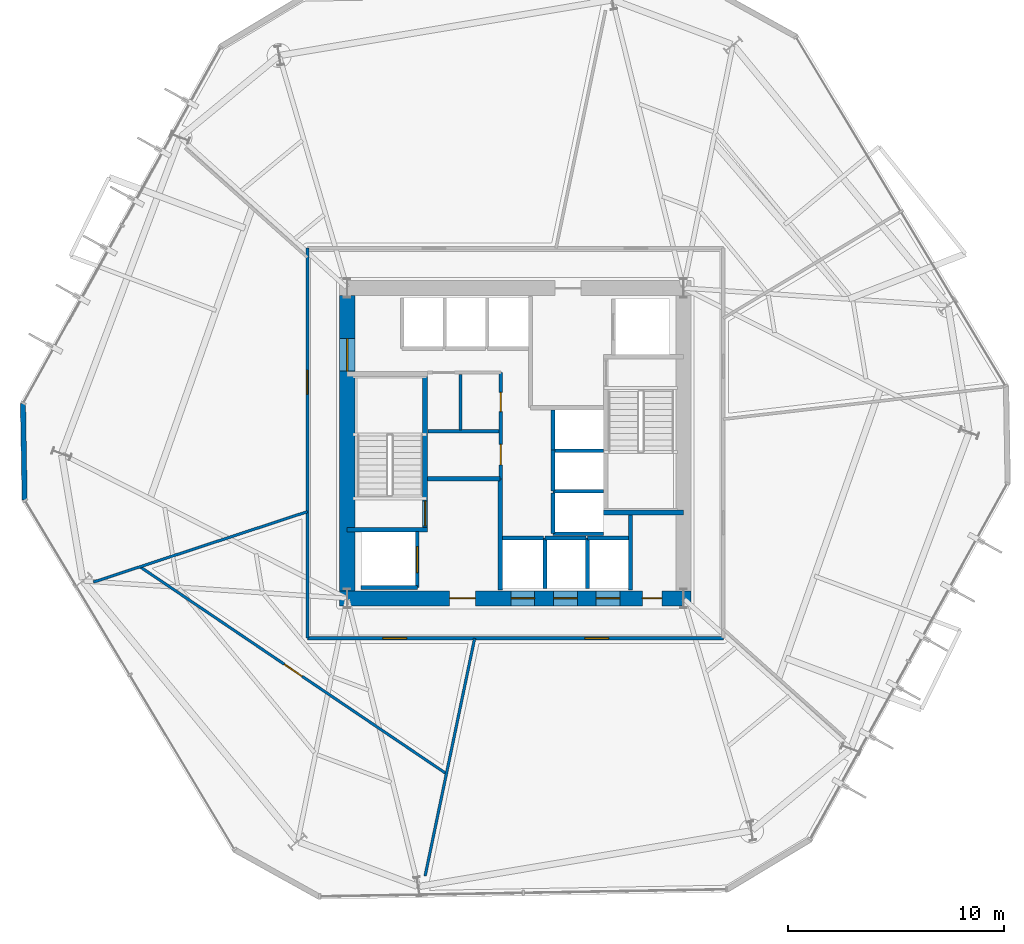
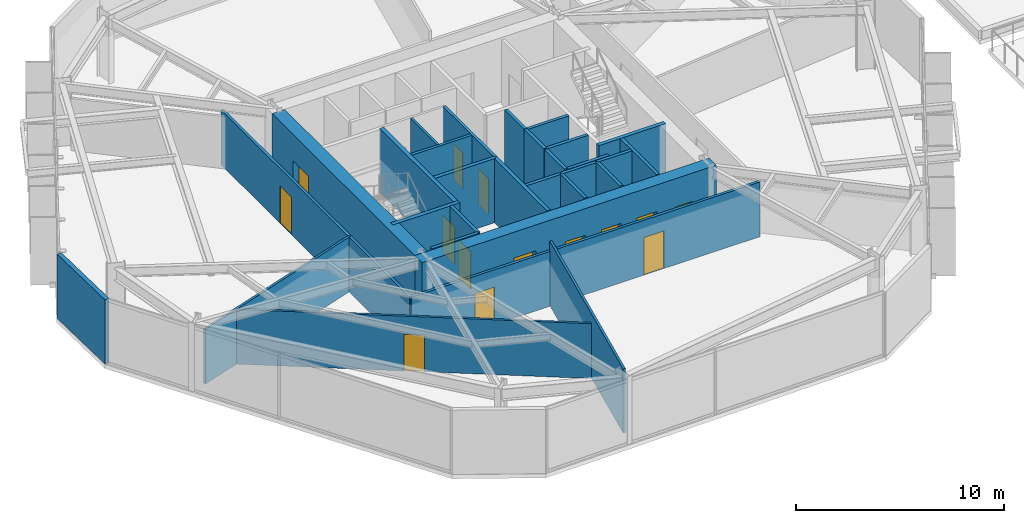
# One storey, part 6 of 11: 30 walls, 14 doors, 14 openings.
"""IFC4 building model written with IfcOpenShell, lengths in metres."""

from ifc_helpers import new_model, si_unit, direction, frame, frame_2d, origin, place, context, subcontext, project, spatial, rectangle, extrude, material, layer, layer_set, type_object, element, fill, save


model = new_model("IFC4")

# Units and contexts
model_context = context("Model", 3, precision=1e-05, world=origin(), true_north=direction((0.0, 1.0)))
body_context = subcontext(model_context, "Body", "Model", "MODEL_VIEW")
ifc_project = project(units=[si_unit("LENGTHUNIT", "METRE"), si_unit("AREAUNIT", "SQUARE_METRE"), si_unit("VOLUMEUNIT", "CUBIC_METRE"), si_unit("PLANEANGLEUNIT", "RADIAN"), si_unit("MASSUNIT", "GRAM", prefix="KILO")], contexts=[model_context])

# Site, building, storey
site_placement = place(None, origin())
site = spatial("IfcSite", under=ifc_project, at=site_placement, CompositionType="ELEMENT")
building_placement = place(site_placement, origin())
building = spatial("IfcBuilding", under=site, at=building_placement, Name="Kranzbogen Civic Tower", CompositionType="ELEMENT")
storey_placement = place(building_placement, frame((0.0, 0.0, 24.0)))
storey = spatial("IfcBuildingStorey", under=building, at=storey_placement, Name="L05", CompositionType="ELEMENT", Elevation=24.0)

# Wall, openings, doors
ifc_material_1 = material(Name="Double-Stud Acoustic Gypsum Partition")
ifc_layer_1 = layer(ifc_material_1, 0.14990234375, Name="Double-Stud Acoustic Gypsum Partition")
ifc_layer_set_1 = layer_set([ifc_layer_1], Name="Double-Stud Acoustic Gypsum Partition")
wall_type_1 = type_object("IfcWallType", Name="Acoustic Corridor and Clinical Partition 150 mm", PredefinedType="PARTITIONING", material=ifc_layer_set_1)
wall_1_placement = place(storey_placement, frame((34.64990234375, 15.949951171875, 0.0), z_axis=(0.0, 0.0, 1.0), x_axis=(-1.0, 0.0, 0.0)))
wall_1 = element("IfcWall", 1, at=wall_1_placement, inside=storey, type_object=wall_type_1, Name="L05 corridor partition 03", PredefinedType="PARTITIONING", context=body_context, shape_type="SweptSolid", body=[
    extrude(rectangle(XDim=19.2998046875, YDim=0.14990234375, at=frame_2d((9.64990234375, 0.0))), origin(), (0.0, 0.0, 1.0), 3.2099609375),
])
opening_1_placement = place(wall_1_placement, frame((14.693115234375, 0.0, 0.0)))
opening_1 = element("IfcOpeningElement", 2, at=opening_1_placement, cuts=wall_1, Name="Opening D-COR60", PredefinedType="OPENING", context=body_context, shape_type="SweptSolid", body=[
    extrude(rectangle(XDim=1.10009765625, YDim=2.199951171875, at=frame_2d((0.550048828125, 1.10009765625))), frame((0.0, 0.0849609375, 0.0), z_axis=(0.0, -1.0, 0.0), x_axis=(1.0, 0.0, 0.0)), (0.0, 0.0, 1.0), 0.169921875),
])
opening_2_placement = place(wall_1_placement, frame((5.319091796875, 0.0, 0.0)))
opening_2 = element("IfcOpeningElement", 3, at=opening_2_placement, cuts=wall_1, Name="Opening D-COR60", PredefinedType="OPENING", context=body_context, shape_type="SweptSolid", body=[
    extrude(rectangle(XDim=1.10009765625, YDim=2.199951171875, at=frame_2d((0.550048828125, 1.10009765625))), frame((0.0, 0.0849609375, 0.0), z_axis=(0.0, -1.0, 0.0), x_axis=(1.0, 0.0, 0.0)), (0.0, 0.0, 1.0), 0.169921875),
])
ifc_material_2 = material(Name="Oak Timber and Fire Core", Category="wood")
door_type_1 = type_object("IfcDoorType", Name="Corridor Acoustic Fire Door 1100x2200", OperationType="NOTDEFINED", PredefinedType="DOOR", material=ifc_material_2)
door_1_placement = place(opening_1_placement, origin())
door_1 = element("IfcDoor", 4, at=door_1_placement, inside=storey, type_object=door_type_1, Name="L05 Ministerial Policy Office door", OperationType="SINGLE_SWING_RIGHT", OverallHeight=2.199951171875, OverallWidth=1.10009765625, PredefinedType="DOOR", context=body_context, shape_type="SweptSolid", body=[
    extrude(rectangle(XDim=1.10009765625, YDim=2.199951171875, at=frame_2d((0.550048828125, 1.10009765625))), frame((0.0, 0.02490234375, 0.0), z_axis=(0.0, -1.0, 0.0), x_axis=(1.0, 0.0, 0.0)), (0.0, 0.0, 1.0), 0.050048828125),
])
fill(opening_1, door_1)
door_2_placement = place(opening_2_placement, origin())
door_2 = element("IfcDoor", 5, at=door_2_placement, inside=storey, type_object=door_type_1, Name="L05 Legal Counsel Office door", OperationType="SINGLE_SWING_RIGHT", OverallHeight=2.199951171875, OverallWidth=1.10009765625, PredefinedType="DOOR", context=body_context, shape_type="SweptSolid", body=[
    extrude(rectangle(XDim=1.10009765625, YDim=2.199951171875, at=frame_2d((0.550048828125, 1.10009765625))), frame((0.0, 0.02490234375, 0.0), z_axis=(0.0, -1.0, 0.0), x_axis=(1.0, 0.0, 0.0)), (0.0, 0.0, 1.0), 0.050048828125),
])
fill(opening_2, door_2)

# Wall, opening, door
wall_2_placement = place(storey_placement, frame((15.35009765625, 15.949951171875, 0.0), z_axis=(0.0, 0.0, 1.0), x_axis=(0.0, 1.0, 0.0)))
wall_2 = element("IfcWall", 6, at=wall_2_placement, inside=storey, type_object=wall_type_1, Name="L05 corridor partition 04", PredefinedType="PARTITIONING", context=body_context, shape_type="SweptSolid", body=[
    extrude(rectangle(XDim=18.10009765625, YDim=0.14990234375, at=frame_2d((9.050048828125, 0.0))), origin(), (0.0, 0.0, 1.0), 3.2099609375),
])
opening_3_placement = place(wall_2_placement, frame((11.33203125, 0.0, 0.0)))
opening_3 = element("IfcOpeningElement", 7, at=opening_3_placement, cuts=wall_2, Name="Opening D-COR60", PredefinedType="OPENING", context=body_context, shape_type="SweptSolid", body=[
    extrude(rectangle(XDim=1.10009765625, YDim=2.199951171875, at=frame_2d((0.550048828125, 1.10009765625))), frame((0.0, 0.0849609375, 0.0), z_axis=(0.0, -1.0, 0.0), x_axis=(1.0, 0.0, 0.0)), (0.0, 0.0, 1.0), 0.169921875),
])
door_3_placement = place(opening_3_placement, origin())
door_3 = element("IfcDoor", 8, at=door_3_placement, inside=storey, type_object=door_type_1, Name="L05 Staff Tea Pantry door", OperationType="SINGLE_SWING_LEFT", OverallHeight=2.199951171875, OverallWidth=1.10009765625, PredefinedType="DOOR", context=body_context, shape_type="SweptSolid", body=[
    extrude(rectangle(XDim=1.10009765625, YDim=2.199951171875, at=frame_2d((0.550048828125, 1.10009765625))), frame((0.0, 0.02490234375, 0.0), z_axis=(0.0, -1.0, 0.0), x_axis=(1.0, 0.0, 0.0)), (0.0, 0.0, 1.0), 0.050048828125),
])
fill(opening_3, door_3)

# Walls
ifc_material_3 = material(Name="Insulated Metal-Stud Gypsum Partition")
ifc_layer_2 = layer(ifc_material_3, 0.125, Name="Insulated Metal-Stud Gypsum Partition")
ifc_layer_set_2 = layer_set([ifc_layer_2], Name="Insulated Metal-Stud Gypsum Partition")
wall_type_2 = type_object("IfcWallType", Name="Acoustic Inter-Room Partition 125 mm", PredefinedType="PARTITIONING", material=ifc_layer_set_2)
wall_3_placement = place(storey_placement, frame((22.4599609375, 25.6201171875, 0.0), z_axis=(0.0, 0.0, 1.0), x_axis=(0.0, 1.0, 0.0)))
element("IfcWall", 9, at=wall_3_placement, inside=storey, type_object=wall_type_2, Name="L05 core auxiliary partition 2", PredefinedType="PARTITIONING", context=body_context, shape_type="SweptSolid", body=[
    extrude(rectangle(XDim=2.579833984375, YDim=0.125, at=frame_2d((1.2900390625, 0.0))), origin(), (0.0, 0.0, 1.0), 3.760009765625),
])
wall_4_placement = place(storey_placement, frame((15.35009765625, 21.823974609375, 0.0), z_axis=(0.0, 0.0, 1.0), x_axis=(-0.949851770283, -0.312700518851, 0.0)))
element("IfcWall", 10, at=wall_4_placement, inside=storey, type_object=wall_type_2, Name="L05 radial room partition 04", PredefinedType="PARTITIONING", context=body_context, shape_type="SweptSolid", body=[
    extrude(rectangle(XDim=10.451171875, YDim=0.125, at=frame_2d((5.2255859375, 0.0))), origin(), (0.0, 0.0, 1.0), 3.2099609375),
])
wall_5_placement = place(storey_placement, frame((23.113037109375, 15.949951171875, 0.0), z_axis=(0.0, 0.0, 1.0), x_axis=(-0.204117775604, -0.97894633851, 0.0)))
element("IfcWall", 11, at=wall_5_placement, inside=storey, type_object=wall_type_2, Name="L05 radial room partition 05", PredefinedType="PARTITIONING", context=body_context, shape_type="SweptSolid", body=[
    extrude(rectangle(XDim=11.268310546875, YDim=0.125, at=frame_2d((5.63427734375, 0.0))), origin(), (0.0, 0.0, 1.0), 3.760009765625),
])

# Wall, opening, door
wall_6_placement = place(storey_placement, frame((7.59912109375, 19.256103515625, 0.0), z_axis=(0.0, 0.0, 1.0), x_axis=(0.828641341799, -0.559779891262, 0.0)))
wall_6 = element("IfcWall", 12, at=wall_6_placement, inside=storey, type_object=wall_type_2, Name="L05 suite chord partition 01", PredefinedType="PARTITIONING", context=body_context, shape_type="SweptSolid", body=[
    extrude(rectangle(XDim=17.123046875, YDim=0.125, at=frame_2d((8.5615234375, 0.0))), origin(), (0.0, 0.0, 1.0), 3.2099609375),
])
opening_4_placement = place(wall_6_placement, frame((8.06201171875, 0.0, 0.0)))
opening_4 = element("IfcOpeningElement", 13, at=opening_4_placement, cuts=wall_6, Name="Opening D-OFC10", PredefinedType="OPENING", context=body_context, shape_type="SweptSolid", body=[
    extrude(rectangle(XDim=1.0, YDim=2.14990234375, at=frame_2d((0.5, 1.074951171875))), frame((0.0, 0.072509765625, 0.0), z_axis=(0.0, -1.0, 0.0), x_axis=(1.0, 0.0, 0.0)), (0.0, 0.0, 1.0), 0.14501953125),
])
ifc_material_4 = material(Name="Oak Timber Veneer", Category="wood")
door_type_2 = type_object("IfcDoorType", Name="Standard Office Acoustic Door 1000x2150", OperationType="NOTDEFINED", PredefinedType="DOOR", material=ifc_material_4)
door_4_placement = place(opening_4_placement, origin())
door_4 = element("IfcDoor", 14, at=door_4_placement, inside=storey, type_object=door_type_2, Name="L05 Directorate Admin Workspace door", OperationType="SINGLE_SWING_LEFT", OverallHeight=2.14990234375, OverallWidth=1.0, PredefinedType="DOOR", context=body_context, shape_type="SweptSolid", body=[
    extrude(rectangle(XDim=1.0, YDim=2.14990234375, at=frame_2d((0.5, 1.074951171875))), frame((0.0, 0.02490234375, 0.0), z_axis=(0.0, -1.0, 0.0), x_axis=(1.0, 0.0, 0.0)), (0.0, 0.0, 1.0), 0.050048828125),
])
fill(opening_4, door_4)

# Wall, openings, doors
ifc_material_5 = material(Name="Concrete C55/67", Category="concrete")
ifc_layer_3 = layer(ifc_material_5, 0.699951171875, Name="Concrete C55/67")
ifc_layer_set_3 = layer_set([ifc_layer_3], Name="Concrete C55/67")
wall_type_3 = type_object("IfcWallType", Name="Central Core Shear Wall 700 mm", PredefinedType="SHEAR", material=ifc_layer_set_3)
wall_7_placement = place(storey_placement, frame((16.85009765625, 17.800048828125, 0.0), z_axis=(0.0, 0.0, 1.0), x_axis=(1.0, 0.0, 0.0)))
wall_7 = element("IfcWall", 15, at=wall_7_placement, inside=storey, type_object=wall_type_3, Name="L05 central core South shear wall", PredefinedType="SHEAR", context=body_context, shape_type="SweptSolid", body=[
    extrude(rectangle(XDim=16.2998046875, YDim=0.699951171875, at=frame_2d((8.14990234375, 0.0))), origin(), (0.0, 0.0, 1.0), 3.760009765625),
])
opening_5_placement = place(wall_7_placement, frame((5.10009765625, 0.0, 0.0)))
opening_5 = element("IfcOpeningElement", 16, at=opening_5_placement, cuts=wall_7, Name="Opening D-EX120", PredefinedType="OPENING", context=body_context, shape_type="SweptSolid", body=[
    extrude(rectangle(XDim=1.199951171875, YDim=2.25, at=frame_2d((0.60009765625, 1.125))), frame((0.0, 0.35986328125, 0.0), z_axis=(0.0, -1.0, 0.0), x_axis=(1.0, 0.0, 0.0)), (0.0, 0.0, 1.0), 0.719970703125),
])
opening_6_placement = place(wall_7_placement, frame((14.050048828125, 0.0, 0.0)))
opening_6 = element("IfcOpeningElement", 17, at=opening_6_placement, cuts=wall_7, Name="Opening D-WC90", PredefinedType="OPENING", context=body_context, shape_type="SweptSolid", body=[
    extrude(rectangle(XDim=0.89990234375, YDim=2.10009765625, at=frame_2d((0.449951171875, 1.050048828125))), frame((0.0, 0.35986328125, 0.0), z_axis=(0.0, -1.0, 0.0), x_axis=(1.0, 0.0, 0.0)), (0.0, 0.0, 1.0), 0.719970703125),
])
opening_7_placement = place(wall_7_placement, frame((7.949951171875, 0.0, 0.0)))
opening_7 = element("IfcOpeningElement", 18, at=opening_7_placement, cuts=wall_7, Name="Opening LD-LP-01", PredefinedType="OPENING", context=body_context, shape_type="SweptSolid", body=[
    extrude(rectangle(XDim=1.10009765625, YDim=2.199951171875, at=frame_2d((0.550048828125, 1.10009765625))), frame((0.0, 0.35986328125, 0.0), z_axis=(0.0, -1.0, 0.0), x_axis=(1.0, 0.0, 0.0)), (0.0, 0.0, 1.0), 0.719970703125),
])
opening_8_placement = place(wall_7_placement, frame((9.925048828125, 0.0, 0.0)))
opening_8 = element("IfcOpeningElement", 19, at=opening_8_placement, cuts=wall_7, Name="Opening LD-LP-02", PredefinedType="OPENING", context=body_context, shape_type="SweptSolid", body=[
    extrude(rectangle(XDim=1.10009765625, YDim=2.199951171875, at=frame_2d((0.550048828125, 1.10009765625))), frame((0.0, 0.35986328125, 0.0), z_axis=(0.0, -1.0, 0.0), x_axis=(1.0, 0.0, 0.0)), (0.0, 0.0, 1.0), 0.719970703125),
])
opening_9_placement = place(wall_7_placement, frame((11.89990234375, 0.0, 0.0)))
opening_9 = element("IfcOpeningElement", 20, at=opening_9_placement, cuts=wall_7, Name="Opening LD-LP-03", PredefinedType="OPENING", context=body_context, shape_type="SweptSolid", body=[
    extrude(rectangle(XDim=1.10009765625, YDim=2.199951171875, at=frame_2d((0.550048828125, 1.10009765625))), frame((0.0, 0.35986328125, 0.0), z_axis=(0.0, -1.0, 0.0), x_axis=(1.0, 0.0, 0.0)), (0.0, 0.0, 1.0), 0.719970703125),
])
ifc_material_6 = material(Name="Steel S355", Category="steel")
door_type_3 = type_object("IfcDoorType", Name="Exit Passageway Fire Door 1200x2250", OperationType="NOTDEFINED", PredefinedType="DOOR", material=ifc_material_6)
door_5_placement = place(opening_5_placement, origin())
door_5 = element("IfcDoor", 21, at=door_5_placement, inside=storey, type_object=door_type_3, Name="L05 West firefighting lobby corridor door", OperationType="SINGLE_SWING_RIGHT", OverallHeight=2.25, OverallWidth=1.199951171875, PredefinedType="DOOR", context=body_context, shape_type="SweptSolid", body=[
    extrude(rectangle(XDim=1.199951171875, YDim=2.25, at=frame_2d((0.60009765625, 1.125))), frame((0.0, 0.02490234375, 0.0), z_axis=(0.0, -1.0, 0.0), x_axis=(1.0, 0.0, 0.0)), (0.0, 0.0, 1.0), 0.050048828125),
])
fill(opening_5, door_5)
ifc_material_7 = material(Name="Pale Anodised Aluminium", Category="aluminium")
door_type_4 = type_object("IfcDoorType", Name="Passenger Lift Sliding Landing Door 1100x2200", OperationType="DOUBLE_DOOR_SLIDING", PredefinedType="DOOR", material=ifc_material_7)
door_6_placement = place(opening_7_placement, origin())
door_6 = element("IfcDoor", 22, at=door_6_placement, inside=storey, type_object=door_type_4, Name="L05 lift LP-01 sliding landing door", OperationType="DOUBLE_DOOR_SLIDING", OverallHeight=2.199951171875, OverallWidth=1.10009765625, PredefinedType="DOOR", context=body_context, shape_type="SweptSolid", body=[
    extrude(rectangle(XDim=1.10009765625, YDim=2.199951171875, at=frame_2d((0.550048828125, 1.10009765625))), frame((0.0, 0.02490234375, 0.0), z_axis=(0.0, -1.0, 0.0), x_axis=(1.0, 0.0, 0.0)), (0.0, 0.0, 1.0), 0.050048828125),
])
fill(opening_7, door_6)
door_7_placement = place(opening_8_placement, origin())
door_7 = element("IfcDoor", 23, at=door_7_placement, inside=storey, type_object=door_type_4, Name="L05 lift LP-02 sliding landing door", OperationType="DOUBLE_DOOR_SLIDING", OverallHeight=2.199951171875, OverallWidth=1.10009765625, PredefinedType="DOOR", context=body_context, shape_type="SweptSolid", body=[
    extrude(rectangle(XDim=1.10009765625, YDim=2.199951171875, at=frame_2d((0.550048828125, 1.10009765625))), frame((0.0, 0.02490234375, 0.0), z_axis=(0.0, -1.0, 0.0), x_axis=(1.0, 0.0, 0.0)), (0.0, 0.0, 1.0), 0.050048828125),
])
fill(opening_8, door_7)
door_8_placement = place(opening_9_placement, origin())
door_8 = element("IfcDoor", 24, at=door_8_placement, inside=storey, type_object=door_type_4, Name="L05 lift LP-03 sliding landing door", OperationType="DOUBLE_DOOR_SLIDING", OverallHeight=2.199951171875, OverallWidth=1.10009765625, PredefinedType="DOOR", context=body_context, shape_type="SweptSolid", body=[
    extrude(rectangle(XDim=1.10009765625, YDim=2.199951171875, at=frame_2d((0.550048828125, 1.10009765625))), frame((0.0, 0.02490234375, 0.0), z_axis=(0.0, -1.0, 0.0), x_axis=(1.0, 0.0, 0.0)), (0.0, 0.0, 1.0), 0.050048828125),
])
fill(opening_9, door_8)
ifc_material_8 = material(Name="Moisture-Resistant Laminate")
door_type_5 = type_object("IfcDoorType", Name="Standard Restroom and Store Door 900x2100", OperationType="NOTDEFINED", PredefinedType="DOOR", material=ifc_material_8)
door_9_placement = place(opening_6_placement, origin())
door_9 = element("IfcDoor", 25, at=door_9_placement, inside=storey, type_object=door_type_5, Name="L05 East electrical riser access door", OperationType="SINGLE_SWING_LEFT", OverallHeight=2.10009765625, OverallWidth=0.89990234375, PredefinedType="DOOR", context=body_context, shape_type="SweptSolid", body=[
    extrude(rectangle(XDim=0.89990234375, YDim=2.10009765625, at=frame_2d((0.449951171875, 1.050048828125))), frame((0.0, 0.02490234375, 0.0), z_axis=(0.0, -1.0, 0.0), x_axis=(1.0, 0.0, 0.0)), (0.0, 0.0, 1.0), 0.050048828125),
])
fill(opening_6, door_9)

# Wall, opening, door
wall_8_placement = place(storey_placement, frame((17.199951171875, 31.85009765625, 0.0), z_axis=(0.0, 0.0, 1.0), x_axis=(0.0, -1.0, 0.0)))
wall_8 = element("IfcWall", 26, at=wall_8_placement, inside=storey, type_object=wall_type_3, Name="L05 central core West shear wall", PredefinedType="SHEAR", context=body_context, shape_type="SweptSolid", body=[
    extrude(rectangle(XDim=13.7001953125, YDim=0.699951171875, at=frame_2d((6.85009765625, 0.0))), origin(), (0.0, 0.0, 1.0), 3.760009765625),
])
opening_10_placement = place(wall_8_placement, frame((2.0, 0.0, 0.0)))
opening_10 = element("IfcOpeningElement", 27, at=opening_10_placement, cuts=wall_8, Name="Opening D-DBL15", PredefinedType="OPENING", context=body_context, shape_type="SweptSolid", body=[
    extrude(rectangle(XDim=1.5, YDim=2.199951171875, at=frame_2d((0.75, 1.10009765625))), frame((0.0, 0.35986328125, 0.0), z_axis=(0.0, -1.0, 0.0), x_axis=(1.0, 0.0, 0.0)), (0.0, 0.0, 1.0), 0.719970703125),
])
ifc_material_9 = material(Name="Anodised Bronze and Glass", Category="glass")
door_type_6 = type_object("IfcDoorType", Name="Civic Lobby Double Door 1500x2200", OperationType="DOUBLE_DOOR_SINGLE_SWING", PredefinedType="DOOR", material=ifc_material_9)
door_10_placement = place(opening_10_placement, origin())
door_10 = element("IfcDoor", 28, at=door_10_placement, inside=storey, type_object=door_type_6, Name="L05 Central Lift Lobby West concourse door", OperationType="DOUBLE_DOOR_SINGLE_SWING", OverallHeight=2.199951171875, OverallWidth=1.5, PredefinedType="DOOR", context=body_context, shape_type="SweptSolid", body=[
    extrude(rectangle(XDim=1.5, YDim=2.199951171875, at=frame_2d((0.75, 1.10009765625))), frame((0.0, 0.02490234375, 0.0), z_axis=(0.0, -1.0, 0.0), x_axis=(1.0, 0.0, 0.0)), (0.0, 0.0, 1.0), 0.050048828125),
])
fill(opening_10, door_10)

ifc_material_10 = material(Name="Concrete C45/55", Category="concrete")
ifc_layer_4 = layer(ifc_material_10, 0.219970703125, Name="Concrete C45/55")
ifc_layer_set_4 = layer_set([ifc_layer_4], Name="Concrete C45/55")
wall_type_4 = type_object("IfcWallType", Name="Core Internal Stair Structural Wall 220 mm", PredefinedType="SOLIDWALL", material=ifc_layer_set_4)
wall_9_placement = place(storey_placement, frame((20.81005859375, 20.989990234375, 0.0), z_axis=(0.0, 0.0, 1.0), x_axis=(0.0, 1.0, 0.0)))
wall_9 = element("IfcWall", 29, at=wall_9_placement, inside=storey, type_object=wall_type_4, Name="L05 ST-T1 East structural stair wall", PredefinedType="SOLIDWALL", context=body_context, shape_type="SweptSolid", body=[
    extrude(rectangle(XDim=7.219970703125, YDim=0.219970703125, at=frame_2d((3.60986328125, 0.0))), origin(), (0.0, 0.0, 1.0), 3.760009765625),
])
opening_11_placement = place(wall_9_placement, frame((0.179931640625, 0.0, 0.0)))
opening_11 = element("IfcOpeningElement", 30, at=opening_11_placement, cuts=wall_9, Name="Opening D-ST90", PredefinedType="OPENING", context=body_context, shape_type="SweptSolid", body=[
    extrude(rectangle(XDim=1.14990234375, YDim=2.199951171875, at=frame_2d((0.574951171875, 1.10009765625))), frame((0.0, 0.1201171875, 0.0), z_axis=(0.0, -1.0, 0.0), x_axis=(1.0, 0.0, 0.0)), (0.0, 0.0, 1.0), 0.239990234375),
])
door_type_7 = type_object("IfcDoorType", Name="Pressurized Stair and Lobby Fire Door 1150x2200", OperationType="NOTDEFINED", PredefinedType="DOOR", material=ifc_material_6)
door_11_placement = place(opening_11_placement, origin())
door_11 = element("IfcDoor", 31, at=door_11_placement, inside=storey, type_object=door_type_7, Name="L05 Stair ST-T1 fire door", OperationType="SINGLE_SWING_RIGHT", OverallHeight=2.199951171875, OverallWidth=1.14990234375, PredefinedType="DOOR", context=body_context, shape_type="SweptSolid", body=[
    extrude(rectangle(XDim=1.14990234375, YDim=2.199951171875, at=frame_2d((0.574951171875, 1.10009765625))), frame((0.0, 0.02490234375, 0.0), z_axis=(0.0, -1.0, 0.0), x_axis=(1.0, 0.0, 0.0)), (0.0, 0.0, 1.0), 0.050048828125),
])
fill(opening_11, door_11)

# Walls
for number, where, z_axis, x_axis, name in (
    (32, (17.199951171875, 20.989990234375, 0.0), (0.0, 0.0, 1.0), (1.0, 0.0, 0.0), "L05 ST-T1 South structural stair wall"),
    (33, (29.080078125, 21.7900390625, 0.0), (0.0, 0.0, 1.0), (1.0, 0.0, 0.0), "L05 ST-T2 South structural stair wall"),
):
    element("IfcWall", number, at=place(storey_placement, frame(where, z_axis=z_axis, x_axis=x_axis)), inside=storey, type_object=wall_type_4, Name=name, PredefinedType="SOLIDWALL", context=body_context, shape_type="SweptSolid", body=[
        extrude(rectangle(XDim=3.719970703125, YDim=0.219970703125, at=frame_2d((1.85986328125, 0.0))), origin(), (0.0, 0.0, 1.0), 3.760009765625),
    ])
ifc_material_11 = material(Name="Gypsum Fireboard and Concrete Block", Category="concrete")
ifc_layer_5 = layer(ifc_material_11, 0.199951171875, Name="Gypsum Fireboard and Concrete Block")
ifc_layer_set_5 = layer_set([ifc_layer_5], Name="Gypsum Fireboard and Concrete Block")
wall_type_5 = type_object("IfcWallType", Name="Fire-Rated Exit Passageway and Stair Wall 200 mm", PredefinedType="PARTITIONING", material=ifc_layer_set_5)
wall_10_placement = place(storey_placement, frame((24.300048828125, 18.199951171875, 0.0), z_axis=(0.0, 0.0, 1.0), x_axis=(0.0, 1.0, 0.0)))
element("IfcWall", 34, at=wall_10_placement, inside=storey, type_object=wall_type_5, Name="L05 West firefighting lobby East wall", PredefinedType="PARTITIONING", context=body_context, shape_type="SweptSolid", body=[
    extrude(rectangle(XDim=5.150146484375, YDim=0.199951171875, at=frame_2d((2.5751953125, 0.0))), origin(), (0.0, 0.0, 1.0), 3.760009765625),
])
wall_11_placement = place(storey_placement, frame((20.919921875, 23.35009765625, 0.0), z_axis=(0.0, 0.0, 1.0), x_axis=(1.0, 0.0, 0.0)))
element("IfcWall", 35, at=wall_11_placement, inside=storey, type_object=wall_type_5, Name="L05 West firefighting lobby North wall", PredefinedType="PARTITIONING", context=body_context, shape_type="SweptSolid", body=[
    extrude(rectangle(XDim=3.380126953125, YDim=0.199951171875, at=frame_2d((1.68994140625, 0.0))), origin(), (0.0, 0.0, 1.0), 3.760009765625),
])
ifc_material_12 = material(Name="Gypsum Fireboard Shaftliner")
ifc_layer_6 = layer(ifc_material_12, 0.175048828125, Name="Gypsum Fireboard Shaftliner")
ifc_layer_set_6 = layer_set([ifc_layer_6], Name="Gypsum Fireboard Shaftliner")
wall_type_6 = type_object("IfcWallType", Name="Fire-Rated Lift and Service Shaft Wall 175 mm", PredefinedType="PARTITIONING", material=ifc_layer_set_6)
wall_12_placement = place(storey_placement, frame((30.35009765625, 18.199951171875, 0.0), z_axis=(0.0, 0.0, 1.0), x_axis=(0.0, 1.0, 0.0)))
element("IfcWall", 36, at=wall_12_placement, inside=storey, type_object=wall_type_6, Name="L05 East core riser West wall", PredefinedType="PARTITIONING", context=body_context, shape_type="SweptSolid", body=[
    extrude(rectangle(XDim=3.47998046875, YDim=0.175048828125, at=frame_2d((1.739990234375, 0.0))), origin(), (0.0, 0.0, 1.0), 3.760009765625),
])
wall_13_placement = place(storey_placement, frame((24.39990234375, 20.60009765625, 0.0), z_axis=(0.0, 0.0, 1.0), x_axis=(1.0, 0.0, 0.0)))
element("IfcWall", 37, at=wall_13_placement, inside=storey, type_object=wall_type_6, Name="L05 lift LP-01 rear wall", PredefinedType="PARTITIONING", context=body_context, shape_type="SweptSolid", body=[
    extrude(rectangle(XDim=1.900146484375, YDim=0.175048828125, at=frame_2d((0.9501953125, 0.0))), origin(), (0.0, 0.0, 1.0), 3.760009765625),
])
wall_14_placement = place(storey_placement, frame((26.375, 20.60009765625, 0.0), z_axis=(0.0, 0.0, 1.0), x_axis=(1.0, 0.0, 0.0)))
element("IfcWall", 38, at=wall_14_placement, inside=storey, type_object=wall_type_6, Name="L05 lift LP-02 rear wall", PredefinedType="PARTITIONING", context=body_context, shape_type="SweptSolid", body=[
    extrude(rectangle(XDim=1.89990234375, YDim=0.175048828125, at=frame_2d((0.949951171875, 0.0))), origin(), (0.0, 0.0, 1.0), 3.760009765625),
])
wall_15_placement = place(storey_placement, frame((26.375, 18.25, 0.0), z_axis=(0.0, 0.0, 1.0), x_axis=(0.0, 1.0, 0.0)))
element("IfcWall", 39, at=wall_15_placement, inside=storey, type_object=wall_type_6, Name="L05 lift LP-02 side wall", PredefinedType="PARTITIONING", context=body_context, shape_type="SweptSolid", body=[
    extrude(rectangle(XDim=2.35009765625, YDim=0.175048828125, at=frame_2d((1.175048828125, 0.0))), origin(), (0.0, 0.0, 1.0), 3.760009765625),
])
wall_16_placement = place(storey_placement, frame((28.35009765625, 20.60009765625, 0.0), z_axis=(0.0, 0.0, 1.0), x_axis=(1.0, 0.0, 0.0)))
element("IfcWall", 40, at=wall_16_placement, inside=storey, type_object=wall_type_6, Name="L05 lift LP-03 rear wall", PredefinedType="PARTITIONING", context=body_context, shape_type="SweptSolid", body=[
    extrude(rectangle(XDim=1.89990234375, YDim=0.175048828125, at=frame_2d((0.949951171875, 0.0))), origin(), (0.0, 0.0, 1.0), 3.760009765625),
])
wall_17_placement = place(storey_placement, frame((28.35009765625, 18.25, 0.0), z_axis=(0.0, 0.0, 1.0), x_axis=(0.0, 1.0, 0.0)))
element("IfcWall", 41, at=wall_17_placement, inside=storey, type_object=wall_type_6, Name="L05 lift LP-03 side wall", PredefinedType="PARTITIONING", context=body_context, shape_type="SweptSolid", body=[
    extrude(rectangle(XDim=2.35009765625, YDim=0.175048828125, at=frame_2d((1.175048828125, 0.0))), origin(), (0.0, 0.0, 1.0), 3.760009765625),
])
wall_18_placement = place(storey_placement, frame((26.75, 20.800048828125, 0.0), z_axis=(0.0, 0.0, 1.0), x_axis=(0.0, 1.0, 0.0)))
element("IfcWall", 42, at=wall_18_placement, inside=storey, type_object=wall_type_6, Name="L05 lift HP-01 landing wall", PredefinedType="PARTITIONING", context=body_context, shape_type="SweptSolid", body=[
    extrude(rectangle(XDim=1.89990234375, YDim=0.175048828125, at=frame_2d((0.949951171875, 0.0))), origin(), (0.0, 0.0, 1.0), 3.760009765625),
])
wall_19_placement = place(storey_placement, frame((26.75, 20.800048828125, 0.0), z_axis=(0.0, 0.0, 1.0), x_axis=(1.0, 0.0, 0.0)))
element("IfcWall", 43, at=wall_19_placement, inside=storey, type_object=wall_type_6, Name="L05 lift HP-01 side wall", PredefinedType="PARTITIONING", context=body_context, shape_type="SweptSolid", body=[
    extrude(rectangle(XDim=2.35009765625, YDim=0.175048828125, at=frame_2d((1.175048828125, 0.0))), origin(), (0.0, 0.0, 1.0), 3.760009765625),
])
wall_20_placement = place(storey_placement, frame((26.75, 22.77490234375, 0.0), z_axis=(0.0, 0.0, 1.0), x_axis=(0.0, 1.0, 0.0)))
element("IfcWall", 44, at=wall_20_placement, inside=storey, type_object=wall_type_6, Name="L05 lift HP-02 landing wall", PredefinedType="PARTITIONING", context=body_context, shape_type="SweptSolid", body=[
    extrude(rectangle(XDim=1.900146484375, YDim=0.175048828125, at=frame_2d((0.9501953125, 0.0))), origin(), (0.0, 0.0, 1.0), 3.760009765625),
])
wall_21_placement = place(storey_placement, frame((26.75, 22.77490234375, 0.0), z_axis=(0.0, 0.0, 1.0), x_axis=(1.0, 0.0, 0.0)))
element("IfcWall", 45, at=wall_21_placement, inside=storey, type_object=wall_type_6, Name="L05 lift HP-02 side wall", PredefinedType="PARTITIONING", context=body_context, shape_type="SweptSolid", body=[
    extrude(rectangle(XDim=2.35009765625, YDim=0.175048828125, at=frame_2d((1.175048828125, 0.0))), origin(), (0.0, 0.0, 1.0), 3.760009765625),
])
wall_22_placement = place(storey_placement, frame((26.75, 24.64990234375, 0.0), z_axis=(0.0, 0.0, 1.0), x_axis=(0.0, 1.0, 0.0)))
element("IfcWall", 46, at=wall_22_placement, inside=storey, type_object=wall_type_6, Name="L05 lift HP-03 landing wall", PredefinedType="PARTITIONING", context=body_context, shape_type="SweptSolid", body=[
    extrude(rectangle(XDim=1.900146484375, YDim=0.175048828125, at=frame_2d((0.9501953125, 0.0))), origin(), (0.0, 0.0, 1.0), 3.760009765625),
])
wall_23_placement = place(storey_placement, frame((26.75, 24.64990234375, 0.0), z_axis=(0.0, 0.0, 1.0), x_axis=(1.0, 0.0, 0.0)))
element("IfcWall", 47, at=wall_23_placement, inside=storey, type_object=wall_type_6, Name="L05 lift HP-03 side wall", PredefinedType="PARTITIONING", context=body_context, shape_type="SweptSolid", body=[
    extrude(rectangle(XDim=2.35009765625, YDim=0.175048828125, at=frame_2d((1.175048828125, 0.0))), origin(), (0.0, 0.0, 1.0), 3.760009765625),
])

# Wall, opening, door
wall_24_placement = place(storey_placement, frame((20.449951171875, 18.300048828125, 0.0), z_axis=(0.0, 0.0, 1.0), x_axis=(0.0, 1.0, 0.0)))
wall_24 = element("IfcWall", 48, at=wall_24_placement, inside=storey, type_object=wall_type_6, Name="L05 lift FF-01 landing wall", PredefinedType="PARTITIONING", context=body_context, shape_type="SweptSolid", body=[
    extrude(rectangle(XDim=2.599853515625, YDim=0.175048828125, at=frame_2d((1.2998046875, 0.0))), origin(), (0.0, 0.0, 1.0), 3.760009765625),
])
opening_12_placement = place(wall_24_placement, frame((0.699951171875, 0.0, 0.0)))
opening_12 = element("IfcOpeningElement", 49, at=opening_12_placement, cuts=wall_24, Name="Opening LD-FF-01", PredefinedType="OPENING", context=body_context, shape_type="SweptSolid", body=[
    extrude(rectangle(XDim=1.199951171875, YDim=2.199951171875, at=frame_2d((0.60009765625, 1.10009765625))), frame((0.0, 0.09765625, 0.0), z_axis=(0.0, -1.0, 0.0), x_axis=(1.0, 0.0, 0.0)), (0.0, 0.0, 1.0), 0.195068359375),
])
door_type_8 = type_object("IfcDoorType", Name="Firefighting and Stretcher Lift Sliding Landing Door 1200x2200", OperationType="DOUBLE_DOOR_SLIDING", PredefinedType="DOOR", material=ifc_material_7)
door_12_placement = place(opening_12_placement, origin())
door_12 = element("IfcDoor", 50, at=door_12_placement, inside=storey, type_object=door_type_8, Name="L05 lift FF-01 sliding landing door", OperationType="DOUBLE_DOOR_SLIDING", OverallHeight=2.199951171875, OverallWidth=1.199951171875, PredefinedType="DOOR", context=body_context, shape_type="SweptSolid", body=[
    extrude(rectangle(XDim=1.199951171875, YDim=2.199951171875, at=frame_2d((0.60009765625, 1.10009765625))), frame((0.0, 0.02490234375, 0.0), z_axis=(0.0, -1.0, 0.0), x_axis=(1.0, 0.0, 0.0)), (0.0, 0.0, 1.0), 0.050048828125),
])
fill(opening_12, door_12)

# Walls
wall_25_placement = place(storey_placement, frame((17.85009765625, 18.300048828125, 0.0), z_axis=(0.0, 0.0, 1.0), x_axis=(1.0, 0.0, 0.0)))
element("IfcWall", 51, at=wall_25_placement, inside=storey, type_object=wall_type_6, Name="L05 lift FF-01 side wall", PredefinedType="PARTITIONING", context=body_context, shape_type="SweptSolid", body=[
    extrude(rectangle(XDim=2.599853515625, YDim=0.175048828125, at=frame_2d((1.2998046875, 0.0))), origin(), (0.0, 0.0, 1.0), 3.760009765625),
])
ifc_layer_7 = layer(ifc_material_7, 0.239990234375, Name="Pale Anodised Aluminium")
ifc_layer_set_7 = layer_set([ifc_layer_7], Name="Pale Anodised Aluminium")
wall_type_7 = type_object("IfcWallType", Name="Insulated Aluminium Facade Portal Wall 240 mm", PredefinedType="STANDARD", material=ifc_layer_set_7)
wall_26_placement = place(storey_placement, frame((2.155029296875, 26.837890625, 0.0), z_axis=(0.0, 0.0, 1.0), x_axis=(0.017194596879, -0.999852161991, 0.0)))
element("IfcWall", 52, at=wall_26_placement, inside=storey, type_object=wall_type_7, Name="L05 chamfered corner facade spandrel 3", PredefinedType="STANDARD", context=body_context, shape_type="SweptSolid", body=[
    extrude(rectangle(XDim=4.47265625, YDim=0.239990234375, at=frame_2d((2.236328125, 0.0))), origin(), (0.0, 0.0, 1.0), 3.760009765625),
])

# Wall, openings, doors
ifc_material_13 = material(Name="Moisture-Resistant Gypsum Assembly")
ifc_layer_8 = layer(ifc_material_13, 0.159912109375, Name="Moisture-Resistant Gypsum Assembly")
ifc_layer_set_8 = layer_set([ifc_layer_8], Name="Moisture-Resistant Gypsum Assembly")
wall_type_8 = type_object("IfcWallType", Name="Sanitary and Plumbing Wet Wall 160 mm", PredefinedType="PLUMBINGWALL", material=ifc_layer_set_8)
wall_27_placement = place(storey_placement, frame((24.324951171875, 23.35009765625, 0.0), z_axis=(0.0, 0.0, 1.0), x_axis=(0.0, 1.0, 0.0)))
wall_27 = element("IfcWall", 53, at=wall_27_placement, inside=storey, type_object=wall_type_8, Name="L05 core auxiliary East wall", PredefinedType="PLUMBINGWALL", context=body_context, shape_type="SweptSolid", body=[
    extrude(rectangle(XDim=4.929931640625, YDim=0.159912109375, at=frame_2d((2.46484375, 0.0))), origin(), (0.0, 0.0, 1.0), 3.760009765625),
])
opening_13_placement = place(wall_27_placement, frame((0.64990234375, 0.0, 0.0)))
opening_13 = element("IfcOpeningElement", 54, at=opening_13_placement, cuts=wall_27, Name="Opening D-AWC95", PredefinedType="OPENING", context=body_context, shape_type="SweptSolid", body=[
    extrude(rectangle(XDim=0.949951171875, YDim=2.10009765625, at=frame_2d((0.47509765625, 1.050048828125))), frame((0.0, 0.08984375, 0.0), z_axis=(0.0, -1.0, 0.0), x_axis=(1.0, 0.0, 0.0)), (0.0, 0.0, 1.0), 0.179931640625),
])
opening_14_placement = place(wall_27_placement, frame((3.110107421875, 0.0, 0.0)))
opening_14 = element("IfcOpeningElement", 55, at=opening_14_placement, cuts=wall_27, Name="Opening D-WC90", PredefinedType="OPENING", context=body_context, shape_type="SweptSolid", body=[
    extrude(rectangle(XDim=0.89990234375, YDim=2.10009765625, at=frame_2d((0.449951171875, 1.050048828125))), frame((0.0, 0.08984375, 0.0), z_axis=(0.0, -1.0, 0.0), x_axis=(1.0, 0.0, 0.0)), (0.0, 0.0, 1.0), 0.179931640625),
])
door_type_9 = type_object("IfcDoorType", Name="Accessible Restroom Door 950x2100", OperationType="NOTDEFINED", PredefinedType="DOOR", material=ifc_material_8)
door_13_placement = place(opening_13_placement, origin())
door_13 = element("IfcDoor", 56, at=door_13_placement, inside=storey, type_object=door_type_9, Name="L05 Accessible Restroom door", OperationType="SINGLE_SWING_RIGHT", OverallHeight=2.10009765625, OverallWidth=0.949951171875, PredefinedType="DOOR", context=body_context, shape_type="SweptSolid", body=[
    extrude(rectangle(XDim=0.949951171875, YDim=2.10009765625, at=frame_2d((0.47509765625, 1.050048828125))), frame((0.0, 0.02490234375, 0.0), z_axis=(0.0, -1.0, 0.0), x_axis=(1.0, 0.0, 0.0)), (0.0, 0.0, 1.0), 0.050048828125),
])
fill(opening_13, door_13)
door_14_placement = place(opening_14_placement, origin())
door_14 = element("IfcDoor", 57, at=door_14_placement, inside=storey, type_object=door_type_5, Name="L05 Staff Restroom door", OperationType="SINGLE_SWING_RIGHT", OverallHeight=2.10009765625, OverallWidth=0.89990234375, PredefinedType="DOOR", context=body_context, shape_type="SweptSolid", body=[
    extrude(rectangle(XDim=0.89990234375, YDim=2.10009765625, at=frame_2d((0.449951171875, 1.050048828125))), frame((0.0, 0.02490234375, 0.0), z_axis=(0.0, -1.0, 0.0), x_axis=(1.0, 0.0, 0.0)), (0.0, 0.0, 1.0), 0.050048828125),
])
fill(opening_14, door_14)

# Wall
wall_28_placement = place(storey_placement, frame((20.949951171875, 25.56005859375, 0.0), z_axis=(0.0, 0.0, 1.0), x_axis=(1.0, 0.0, 0.0)))
element("IfcWall", 58, at=wall_28_placement, inside=storey, type_object=wall_type_8, Name="L05 core auxiliary partition 1", PredefinedType="PLUMBINGWALL", context=body_context, shape_type="SweptSolid", body=[
    extrude(rectangle(XDim=3.300048828125, YDim=0.159912109375, at=frame_2d((1.64990234375, 0.0))), origin(), (0.0, 0.0, 1.0), 3.760009765625),
])

save(model, "model.ifc")
